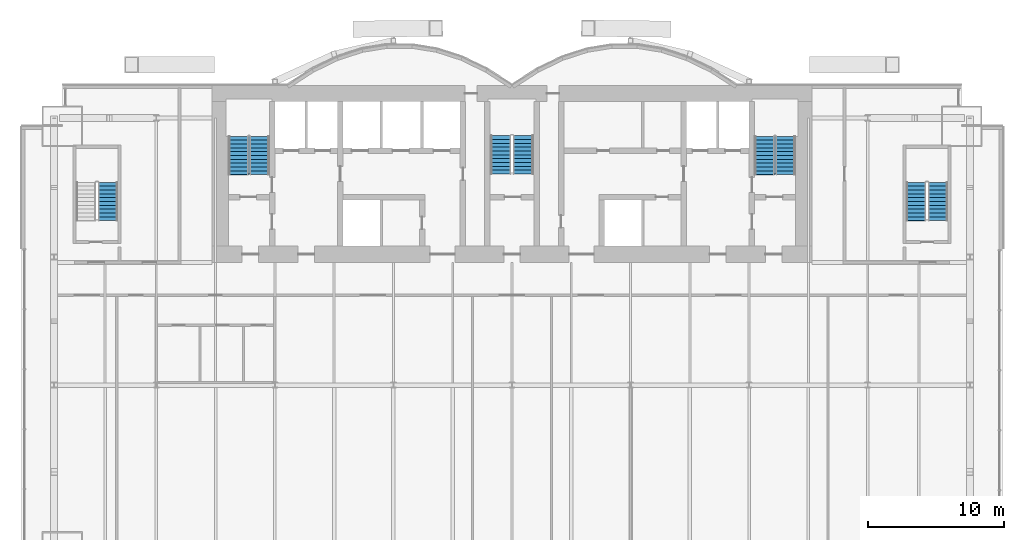
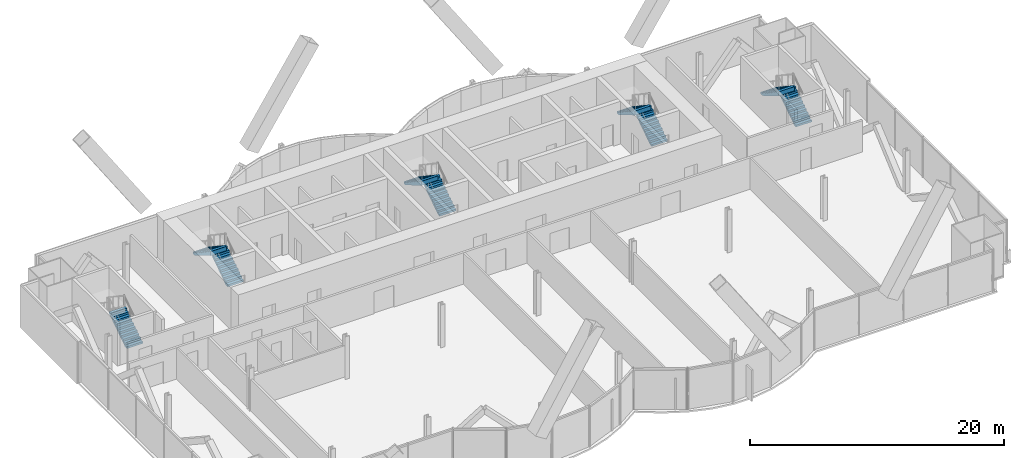
# One storey, part 18 of 21: 9 stair flights, 5 elements without a shape of their own.
"""IFC4 building model written with IfcOpenShell, lengths in metres."""

from ifc_helpers import new_model, si_unit, direction, frame, origin, place, context, subcontext, project, spatial, polyline, outline, extrude, material, type_object, element, aggregate, save


model = new_model("IFC4")

# Units and contexts
model_context = context("Model", 3, precision=1e-05, world=origin(), true_north=direction((0.0, 1.0)))
body_context = subcontext(model_context, "Body", "Model", "MODEL_VIEW")
ifc_project = project(units=[si_unit("LENGTHUNIT", "METRE"), si_unit("AREAUNIT", "SQUARE_METRE"), si_unit("VOLUMEUNIT", "CUBIC_METRE"), si_unit("PLANEANGLEUNIT", "RADIAN"), si_unit("MASSUNIT", "GRAM", prefix="KILO")], contexts=[model_context])

# Site, building, storey
site_placement = place(None, origin())
site = spatial("IfcSite", under=ifc_project, at=site_placement, CompositionType="ELEMENT")
building_placement = place(site_placement, origin())
building = spatial("IfcBuilding", under=site, at=building_placement, Name="Bicima Exchange Tower", CompositionType="ELEMENT")
storey_placement = place(building_placement, frame((0.0, 0.0, 118.60009765625)))
storey = spatial("IfcBuildingStorey", under=building, at=storey_placement, Name="L25", CompositionType="ELEMENT", Elevation=118.60009765625)

# Stair, stair flights
ifc_material = material(Name="Concrete C50/60", Category="concrete")
stair_type_1 = type_object("IfcStairType", Name="Exit stair", PredefinedType="HALF_TURN_STAIR", material=ifc_material)
stair_1_placement = place(storey_placement, origin())
stair_1 = element("IfcStair", 1, at=stair_1_placement, inside=storey, type_object=stair_type_1, Name="L25 West exit stair", PredefinedType="HALF_TURN_STAIR")
stair_flight_type_1 = type_object("IfcStairFlightType", Name="Stair flight RC", PredefinedType="STRAIGHT", material=ifc_material)
stair_flight_1_placement = place(storey_placement, frame((-18.52490234375, -6.550048828125, 0.0), z_axis=(0.0, 0.0, 1.0), x_axis=(0.0, 1.0, 0.0)))
stair_flight_1 = element("IfcStairFlight", 2, at=stair_flight_1_placement, type_object=stair_flight_type_1, Name="ST-W flight 1", NumberOfRisers=11, NumberOfTreads=10, PredefinedType="STRAIGHT", RiserHeight=0.186363636, TreadLength=0.28, context=body_context, shape_type="SweptSolid", body=[
    extrude(outline(polyline([(0.0, 0.0), (0.0, 0.186279296875), (0.280029296875, 0.186279296875), (0.280029296875, 0.372802734375), (0.56005859375, 0.372802734375), (0.56005859375, 0.55908203125), (0.840087890625, 0.55908203125), (0.840087890625, 0.745361328125), (1.1201171875, 0.745361328125), (1.1201171875, 0.931884765625), (1.39990234375, 0.931884765625), (1.39990234375, 1.1181640625), (1.679931640625, 1.1181640625), (1.679931640625, 1.304443359375), (1.9599609375, 1.304443359375), (1.9599609375, 1.490966796875), (2.239990234375, 1.490966796875), (2.239990234375, 1.67724609375), (2.52001953125, 1.67724609375), (2.52001953125, 1.863525390625), (2.800048828125, 1.863525390625), (2.800048828125, 2.050048828125), (2.800048828125, 1.68359375), (0.2705078125, 0.0), (0.0, 0.0)])), frame((0.0, 0.72509765625, 0.0), z_axis=(0.0, -1.0, 0.0), x_axis=(1.0, 0.0, 0.0)), (0.0, 0.0, 1.0), 1.449951171875),
])
stair_flight_2_placement = place(storey_placement, frame((-20.074951171875, -3.75, 2.0498046875), z_axis=(0.0, 0.0, 1.0), x_axis=(0.0, -1.0, 0.0)))
stair_flight_2 = element("IfcStairFlight", 3, at=stair_flight_2_placement, type_object=stair_flight_type_1, Name="ST-W flight 2", NumberOfRisers=11, NumberOfTreads=10, PredefinedType="STRAIGHT", RiserHeight=0.186363636, TreadLength=0.28, context=body_context, shape_type="SweptSolid", body=[
    extrude(outline(polyline([(0.0, 0.0), (0.0, 0.186279296875), (0.280029296875, 0.186279296875), (0.280029296875, 0.372802734375), (0.56005859375, 0.372802734375), (0.56005859375, 0.55908203125), (0.840087890625, 0.55908203125), (0.840087890625, 0.745361328125), (1.1201171875, 0.745361328125), (1.1201171875, 0.931884765625), (1.39990234375, 0.931884765625), (1.39990234375, 1.1181640625), (1.679931640625, 1.1181640625), (1.679931640625, 1.304443359375), (1.9599609375, 1.304443359375), (1.9599609375, 1.490966796875), (2.239990234375, 1.490966796875), (2.239990234375, 1.67724609375), (2.52001953125, 1.67724609375), (2.52001953125, 1.863525390625), (2.800048828125, 1.863525390625), (2.800048828125, 1.904052734375), (2.81494140625, 1.904052734375), (2.81494140625, 1.507080078125), (0.2705078125, 0.0), (0.0, 0.0)])), frame((0.0, 0.72509765625, 0.0), z_axis=(0.0, -1.0, 0.0), x_axis=(1.0, 0.0, 0.0)), (0.0, 0.0, 1.0), 1.449951171875),
])
aggregate(stair_1, [stair_flight_1, stair_flight_2])

stair_2_placement = place(storey_placement, origin())
stair_2 = element("IfcStair", 4, at=stair_2_placement, inside=storey, type_object=stair_type_1, Name="L25 East exit stair", PredefinedType="HALF_TURN_STAIR")
stair_flight_3_placement = place(storey_placement, frame((20.074951171875, -6.550048828125, 0.0), z_axis=(0.0, 0.0, 1.0), x_axis=(0.0, 1.0, 0.0)))
stair_flight_3 = element("IfcStairFlight", 5, at=stair_flight_3_placement, type_object=stair_flight_type_1, Name="ST-E flight 1", NumberOfRisers=11, NumberOfTreads=10, PredefinedType="STRAIGHT", RiserHeight=0.186363636, TreadLength=0.28, context=body_context, shape_type="SweptSolid", body=[
    extrude(outline(polyline([(0.0, 0.0), (0.0, 0.186279296875), (0.280029296875, 0.186279296875), (0.280029296875, 0.372802734375), (0.56005859375, 0.372802734375), (0.56005859375, 0.55908203125), (0.840087890625, 0.55908203125), (0.840087890625, 0.745361328125), (1.1201171875, 0.745361328125), (1.1201171875, 0.931884765625), (1.39990234375, 0.931884765625), (1.39990234375, 1.1181640625), (1.679931640625, 1.1181640625), (1.679931640625, 1.304443359375), (1.9599609375, 1.304443359375), (1.9599609375, 1.490966796875), (2.239990234375, 1.490966796875), (2.239990234375, 1.67724609375), (2.52001953125, 1.67724609375), (2.52001953125, 1.863525390625), (2.800048828125, 1.863525390625), (2.800048828125, 2.050048828125), (2.800048828125, 1.68359375), (0.2705078125, 0.0), (0.0, 0.0)])), frame((0.0, 0.72509765625, 0.0), z_axis=(0.0, -1.0, 0.0), x_axis=(1.0, 0.0, 0.0)), (0.0, 0.0, 1.0), 1.449951171875),
])
stair_flight_4_placement = place(storey_placement, frame((18.52490234375, -3.75, 2.0498046875), z_axis=(0.0, 0.0, 1.0), x_axis=(0.0, -1.0, 0.0)))
stair_flight_4 = element("IfcStairFlight", 6, at=stair_flight_4_placement, type_object=stair_flight_type_1, Name="ST-E flight 2", NumberOfRisers=11, NumberOfTreads=10, PredefinedType="STRAIGHT", RiserHeight=0.186363636, TreadLength=0.28, context=body_context, shape_type="SweptSolid", body=[
    extrude(outline(polyline([(0.0, 0.0), (0.0, 0.186279296875), (0.280029296875, 0.186279296875), (0.280029296875, 0.372802734375), (0.56005859375, 0.372802734375), (0.56005859375, 0.55908203125), (0.840087890625, 0.55908203125), (0.840087890625, 0.745361328125), (1.1201171875, 0.745361328125), (1.1201171875, 0.931884765625), (1.39990234375, 0.931884765625), (1.39990234375, 1.1181640625), (1.679931640625, 1.1181640625), (1.679931640625, 1.304443359375), (1.9599609375, 1.304443359375), (1.9599609375, 1.490966796875), (2.239990234375, 1.490966796875), (2.239990234375, 1.67724609375), (2.52001953125, 1.67724609375), (2.52001953125, 1.863525390625), (2.800048828125, 1.863525390625), (2.800048828125, 1.904052734375), (2.81494140625, 1.904052734375), (2.81494140625, 1.507080078125), (0.2705078125, 0.0), (0.0, 0.0)])), frame((0.0, 0.72509765625, 0.0), z_axis=(0.0, -1.0, 0.0), x_axis=(1.0, 0.0, 0.0)), (0.0, 0.0, 1.0), 1.449951171875),
])
aggregate(stair_2, [stair_flight_3, stair_flight_4])

# Stair, stair flight
stair_3_placement = place(storey_placement, origin())
stair_3 = element("IfcStair", 7, at=stair_3_placement, inside=storey, type_object=stair_type_1, Name="L25 West end exit stair", PredefinedType="HALF_TURN_STAIR")
stair_flight_5_placement = place(storey_placement, frame((-29.64990234375, -9.925048828125, 0.0), z_axis=(0.0, 0.0, 1.0), x_axis=(0.0, 1.0, 0.0)))
stair_flight_5 = element("IfcStairFlight", 8, at=stair_flight_5_placement, type_object=stair_flight_type_1, Name="ST-WW flight 1", NumberOfRisers=11, NumberOfTreads=10, PredefinedType="STRAIGHT", RiserHeight=0.186363636, TreadLength=0.28, context=body_context, shape_type="SweptSolid", body=[
    extrude(outline(polyline([(0.0, 0.0), (0.0, 0.186279296875), (0.280029296875, 0.186279296875), (0.280029296875, 0.372802734375), (0.56005859375, 0.372802734375), (0.56005859375, 0.55908203125), (0.840087890625, 0.55908203125), (0.840087890625, 0.745361328125), (1.1201171875, 0.745361328125), (1.1201171875, 0.931884765625), (1.39990234375, 0.931884765625), (1.39990234375, 1.1181640625), (1.679931640625, 1.1181640625), (1.679931640625, 1.304443359375), (1.9599609375, 1.304443359375), (1.9599609375, 1.490966796875), (2.239990234375, 1.490966796875), (2.239990234375, 1.67724609375), (2.52001953125, 1.67724609375), (2.52001953125, 1.863525390625), (2.800048828125, 1.863525390625), (2.800048828125, 2.050048828125), (2.800048828125, 1.68359375), (0.2705078125, 0.0), (0.0, 0.0)])), frame((0.0, 0.72509765625, 0.0), z_axis=(0.0, -1.0, 0.0), x_axis=(1.0, 0.0, 0.0)), (0.0, 0.0, 1.0), 1.449951171875),
])
aggregate(stair_3, [stair_flight_5])

# Stair, stair flights
stair_4_placement = place(storey_placement, origin())
stair_4 = element("IfcStair", 9, at=stair_4_placement, inside=storey, type_object=stair_type_1, Name="L25 East end exit stair", PredefinedType="HALF_TURN_STAIR")
stair_flight_6_placement = place(storey_placement, frame((31.25, -9.925048828125, 0.0), z_axis=(0.0, 0.0, 1.0), x_axis=(0.0, 1.0, 0.0)))
stair_flight_6 = element("IfcStairFlight", 10, at=stair_flight_6_placement, type_object=stair_flight_type_1, Name="ST-EE flight 1", NumberOfRisers=11, NumberOfTreads=10, PredefinedType="STRAIGHT", RiserHeight=0.186363636, TreadLength=0.28, context=body_context, shape_type="SweptSolid", body=[
    extrude(outline(polyline([(0.0, 0.0), (0.0, 0.186279296875), (0.280029296875, 0.186279296875), (0.280029296875, 0.372802734375), (0.56005859375, 0.372802734375), (0.56005859375, 0.55908203125), (0.840087890625, 0.55908203125), (0.840087890625, 0.745361328125), (1.1201171875, 0.745361328125), (1.1201171875, 0.931884765625), (1.39990234375, 0.931884765625), (1.39990234375, 1.1181640625), (1.679931640625, 1.1181640625), (1.679931640625, 1.304443359375), (1.9599609375, 1.304443359375), (1.9599609375, 1.490966796875), (2.239990234375, 1.490966796875), (2.239990234375, 1.67724609375), (2.52001953125, 1.67724609375), (2.52001953125, 1.863525390625), (2.800048828125, 1.863525390625), (2.800048828125, 2.050048828125), (2.800048828125, 1.68359375), (0.2705078125, 0.0), (0.0, 0.0)])), frame((0.0, 0.72509765625, 0.0), z_axis=(0.0, -1.0, 0.0), x_axis=(1.0, 0.0, 0.0)), (0.0, 0.0, 1.0), 1.449951171875),
])
stair_flight_7_placement = place(storey_placement, frame((29.64990234375, -7.125, 2.0498046875), z_axis=(0.0, 0.0, 1.0), x_axis=(0.0, -1.0, 0.0)))
stair_flight_7 = element("IfcStairFlight", 11, at=stair_flight_7_placement, type_object=stair_flight_type_1, Name="ST-EE flight 2", NumberOfRisers=11, NumberOfTreads=10, PredefinedType="STRAIGHT", RiserHeight=0.186363636, TreadLength=0.28, context=body_context, shape_type="SweptSolid", body=[
    extrude(outline(polyline([(0.0, 0.0), (0.0, 0.186279296875), (0.280029296875, 0.186279296875), (0.280029296875, 0.372802734375), (0.56005859375, 0.372802734375), (0.56005859375, 0.55908203125), (0.840087890625, 0.55908203125), (0.840087890625, 0.745361328125), (1.1201171875, 0.745361328125), (1.1201171875, 0.931884765625), (1.39990234375, 0.931884765625), (1.39990234375, 1.1181640625), (1.679931640625, 1.1181640625), (1.679931640625, 1.304443359375), (1.9599609375, 1.304443359375), (1.9599609375, 1.490966796875), (2.239990234375, 1.490966796875), (2.239990234375, 1.67724609375), (2.52001953125, 1.67724609375), (2.52001953125, 1.863525390625), (2.800048828125, 1.863525390625), (2.800048828125, 1.904052734375), (2.81494140625, 1.904052734375), (2.81494140625, 1.507080078125), (0.2705078125, 0.0), (0.0, 0.0)])), frame((0.0, 0.72509765625, 0.0), z_axis=(0.0, -1.0, 0.0), x_axis=(1.0, 0.0, 0.0)), (0.0, 0.0, 1.0), 1.449951171875),
])
aggregate(stair_4, [stair_flight_6, stair_flight_7])

stair_type_2 = type_object("IfcStairType", Name="Exit stair 1500", PredefinedType="HALF_TURN_STAIR", material=ifc_material)
stair_5_placement = place(storey_placement, origin())
stair_5 = element("IfcStair", 12, at=stair_5_placement, inside=storey, type_object=stair_type_2, Name="L25 Central exit stair", PredefinedType="HALF_TURN_STAIR")
stair_flight_type_2 = type_object("IfcStairFlightType", Name="Stair flight RC 1500", PredefinedType="STRAIGHT", material=ifc_material)
stair_flight_8_placement = place(storey_placement, frame((0.824951171875, -6.5, 0.0), z_axis=(0.0, 0.0, 1.0), x_axis=(0.0, 1.0, 0.0)))
stair_flight_8 = element("IfcStairFlight", 13, at=stair_flight_8_placement, type_object=stair_flight_type_2, Name="ST-C flight 1", NumberOfRisers=11, NumberOfTreads=10, PredefinedType="STRAIGHT", RiserHeight=0.186363636, TreadLength=0.28, context=body_context, shape_type="SweptSolid", body=[
    extrude(outline(polyline([(0.0, 0.0), (0.0, 0.186279296875), (0.280029296875, 0.186279296875), (0.280029296875, 0.372802734375), (0.56005859375, 0.372802734375), (0.56005859375, 0.55908203125), (0.840087890625, 0.55908203125), (0.840087890625, 0.745361328125), (1.1201171875, 0.745361328125), (1.1201171875, 0.931884765625), (1.39990234375, 0.931884765625), (1.39990234375, 1.1181640625), (1.679931640625, 1.1181640625), (1.679931640625, 1.304443359375), (1.9599609375, 1.304443359375), (1.9599609375, 1.490966796875), (2.239990234375, 1.490966796875), (2.239990234375, 1.67724609375), (2.52001953125, 1.67724609375), (2.52001953125, 1.863525390625), (2.800048828125, 1.863525390625), (2.800048828125, 2.050048828125), (2.800048828125, 1.68359375), (0.2705078125, 0.0), (0.0, 0.0)])), frame((0.0, 0.75, 0.0), z_axis=(0.0, -1.0, 0.0), x_axis=(1.0, 0.0, 0.0)), (0.0, 0.0, 1.0), 1.5),
])
stair_flight_9_placement = place(storey_placement, frame((-0.824951171875, -3.699951171875, 2.0498046875), z_axis=(0.0, 0.0, 1.0), x_axis=(0.0, -1.0, 0.0)))
stair_flight_9 = element("IfcStairFlight", 14, at=stair_flight_9_placement, type_object=stair_flight_type_2, Name="ST-C flight 2", NumberOfRisers=11, NumberOfTreads=10, PredefinedType="STRAIGHT", RiserHeight=0.186363636, TreadLength=0.28, context=body_context, shape_type="SweptSolid", body=[
    extrude(outline(polyline([(0.0, 0.0), (0.0, 0.186279296875), (0.280029296875, 0.186279296875), (0.280029296875, 0.372802734375), (0.56005859375, 0.372802734375), (0.56005859375, 0.55908203125), (0.840087890625, 0.55908203125), (0.840087890625, 0.745361328125), (1.1201171875, 0.745361328125), (1.1201171875, 0.931884765625), (1.39990234375, 0.931884765625), (1.39990234375, 1.1181640625), (1.679931640625, 1.1181640625), (1.679931640625, 1.304443359375), (1.9599609375, 1.304443359375), (1.9599609375, 1.490966796875), (2.239990234375, 1.490966796875), (2.239990234375, 1.67724609375), (2.52001953125, 1.67724609375), (2.52001953125, 1.863525390625), (2.800048828125, 1.863525390625), (2.800048828125, 1.904052734375), (2.81494140625, 1.904052734375), (2.81494140625, 1.507080078125), (0.2705078125, 0.0), (0.0, 0.0)])), frame((0.0, 0.75, 0.0), z_axis=(0.0, -1.0, 0.0), x_axis=(1.0, 0.0, 0.0)), (0.0, 0.0, 1.0), 1.5),
])
aggregate(stair_5, [stair_flight_8, stair_flight_9])

save(model, "model.ifc")
